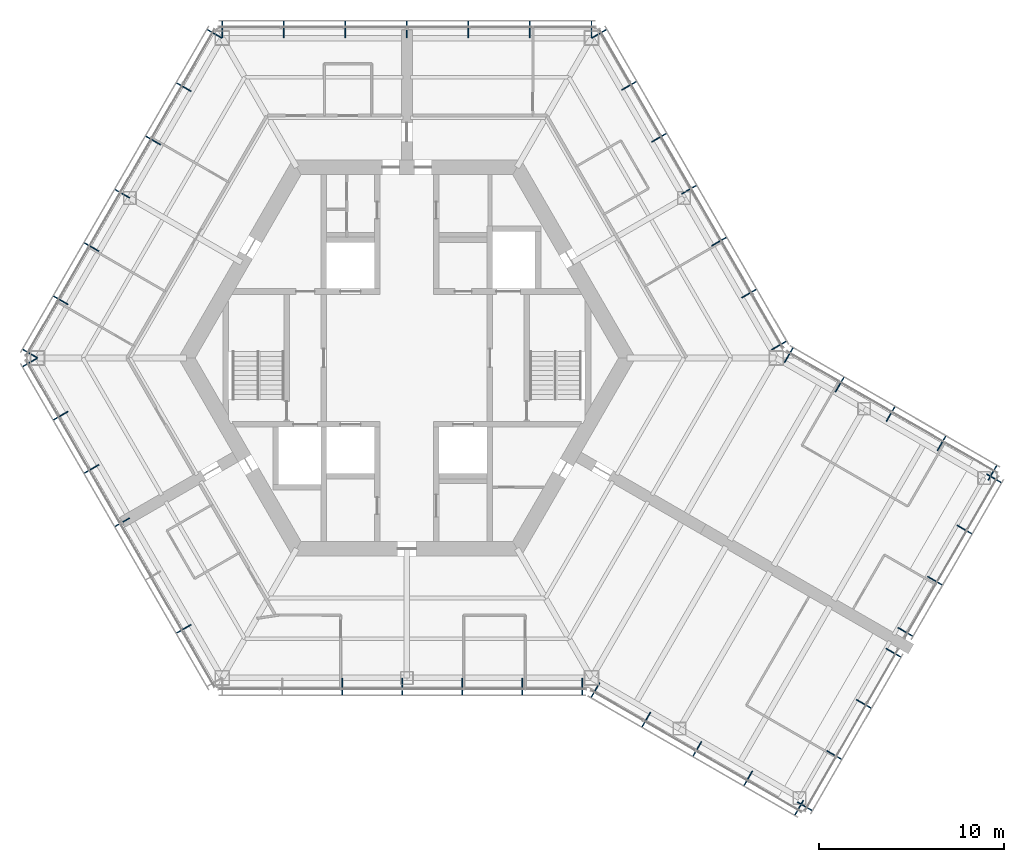
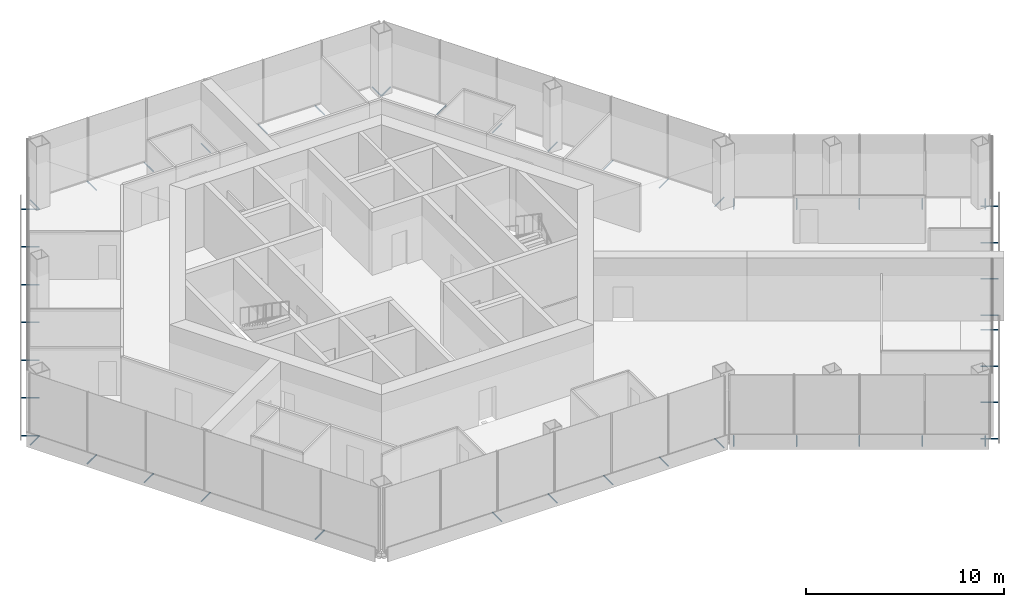
# One storey, part 14 of 16: 49 discrete accessories.
"""IFC4 building model written with IfcOpenShell, lengths in metres."""

import ifcopenshell
import ifcopenshell.guid

model = None  # the IFC model being written
_history = None  # IfcOwnerHistory: only IFC2X3 demands one
_inside = {}  # id of a spatial element -> (the spatial element, [elements in it])
_under = {}  # id of a project, library or spatial element -> (it, [spatial elements below it])
_declared = {}  # id of a project -> (the project, [libraries it declares])
_typed = {}  # id of a type object -> (the type object, [elements of that type])
_made_of = {}  # id of a material, layer set ... -> (it, [elements and type objects made of it])


def new_model(schema):
    """Start an empty IFC model of exactly this schema.

    Asked for "IFC4X3", IfcOpenShell would pick the latest addendum, in which some entities
    have other attributes; the version numbers below select the first issue.
    IFC2X3 requires an IfcOwnerHistory on every rooted entity: one is made here for all.
    """
    global model, _history
    if schema == "IFC4X3":
        model = ifcopenshell.file(schema_version=(4, 3, 0, 0))
    else:
        model = ifcopenshell.file(schema=schema)
    _inside.clear()
    _under.clear()
    _declared.clear()
    _typed.clear()
    _made_of.clear()
    _history = None
    if model.schema == "IFC2X3":
        org = make("IfcOrganization", Name="unknown")
        user = make(
            "IfcPersonAndOrganization",
            ThePerson=make("IfcPerson", FamilyName="unknown"),
            TheOrganization=org,
        )
        app = make(
            "IfcApplication",
            ApplicationDeveloper=org,
            Version="unknown",
            ApplicationFullName="unknown",
            ApplicationIdentifier="unknown",
        )
        _history = make(
            "IfcOwnerHistory",
            OwningUser=user,
            OwningApplication=app,
            ChangeAction="ADDED",
            CreationDate=0,
        )
    return model


def make(cls, **values):
    """One entity of the class cls with the attributes given. An attribute that is None is left unset."""
    return model.create_entity(
        cls, **{name: value for name, value in values.items() if value is not None}
    )


def rooted(cls, **values):
    """An entity with a GlobalId (a new one), such as an element, a storey or a relation."""
    return make(cls, GlobalId=ifcopenshell.guid.new(), OwnerHistory=_history, **values)


def si_unit(unit_type, name, prefix=None):
    """IfcSIUnit, for example si_unit("LENGTHUNIT", "METRE", prefix="MILLI")."""
    return make("IfcSIUnit", UnitType=unit_type, Prefix=prefix, Name=name)


def assignment(units):
    """IfcUnitAssignment: the units of a project."""
    return None if units is None else make("IfcUnitAssignment", Units=units)


def point(xyz):
    """IfcCartesianPoint."""
    return None if xyz is None else make("IfcCartesianPoint", Coordinates=xyz)


def direction(xyz):
    """IfcDirection."""
    return None if xyz is None else make("IfcDirection", DirectionRatios=xyz)


def frame(location, z_axis=None, x_axis=None):
    """IfcAxis2Placement3D, a coordinate frame: its origin and axes. An axis left out is left unset."""
    return make(
        "IfcAxis2Placement3D",
        Location=point(location),
        Axis=direction(z_axis),
        RefDirection=direction(x_axis),
    )


def frame_2d(location, x_axis=None):
    """IfcAxis2Placement2D, a coordinate frame in the plane: its origin and x axis."""
    return make(
        "IfcAxis2Placement2D", Location=point(location), RefDirection=direction(x_axis)
    )


def origin():
    """The frame at (0, 0, 0) with its axes left unset."""
    return frame((0.0, 0.0, 0.0))


def origin_2d():
    """The frame at (0, 0) in the plane with its x axis left unset."""
    return frame_2d((0.0, 0.0))


def place(relative_to, where):
    """IfcLocalPlacement: puts the frame where relative to a parent placement (None: the world)."""
    return make(
        "IfcLocalPlacement", PlacementRelTo=relative_to, RelativePlacement=where
    )


def context(
    kind, dimensions, precision=None, world=None, true_north=None, identifier=None
):
    """IfcGeometricRepresentationContext, for example the 3D "Model" context."""
    return make(
        "IfcGeometricRepresentationContext",
        ContextIdentifier=identifier,
        ContextType=kind,
        CoordinateSpaceDimension=dimensions,
        Precision=precision,
        WorldCoordinateSystem=world,
        TrueNorth=true_north,
    )


def subcontext(parent, identifier, kind, view, scale=None):
    """IfcGeometricRepresentationSubContext, for example "Body" below "Model"."""
    return make(
        "IfcGeometricRepresentationSubContext",
        ContextIdentifier=identifier,
        ContextType=kind,
        ParentContext=parent,
        TargetScale=scale,
        TargetView=view,
    )


def project(units=None, contexts=None):
    """IfcProject with its units and contexts."""
    return rooted(
        "IfcProject",
        Name="project",
        RepresentationContexts=contexts,
        UnitsInContext=assignment(units),
    )


def spatial(cls, under=None, at=None, **own):
    """A site, building, storey or space (cls), placed at a placement, below another one or the project."""
    s = rooted(cls, ObjectPlacement=at, **own)
    if under is not None:
        _under.setdefault(under.id(), (under, []))[1].append(s)
    return s


def profile(cls, at=None, kind="AREA", **sizes):
    """A parametric profile (cls). Its sizes go by their IFC names, for example OverallWidth=200.0."""
    return make(cls, ProfileType=kind, Position=at, **sizes)


def hollow_circle(**sizes):
    """IfcCircleHollowProfileDef."""
    return profile("IfcCircleHollowProfileDef", **sizes)


def extrude(swept, where, along, depth):
    """IfcExtrudedAreaSolid: the profile swept, set in the frame where, extruded along a direction by depth."""
    return make(
        "IfcExtrudedAreaSolid",
        SweptArea=swept,
        Position=where,
        ExtrudedDirection=direction(along),
        Depth=depth,
    )


def shape(context_of_items, identifier, shape_type, items):
    """IfcShapeRepresentation: the items that make up one representation, for example the "Body"."""
    return make(
        "IfcShapeRepresentation",
        ContextOfItems=context_of_items,
        RepresentationIdentifier=identifier,
        RepresentationType=shape_type,
        Items=items,
    )


def material(Name=None, Category=None):
    """IfcMaterial."""
    return make("IfcMaterial", Name=Name, Category=Category)


def material_profile(
    of_material, cross_section, Name=None, Category=None, Priority=None
):
    """IfcMaterialProfile: a cross section and its material."""
    return make(
        "IfcMaterialProfile",
        Name=Name,
        Material=of_material,
        Profile=cross_section,
        Priority=Priority,
        Category=Category,
    )


def profile_set(profiles, Name=None, composite=None):
    """IfcMaterialProfileSet."""
    return make(
        "IfcMaterialProfileSet",
        Name=Name,
        MaterialProfiles=profiles,
        CompositeProfile=composite,
    )


def made_of(thing, what):
    """Note that an element or type object is made of a material, layer set ...; save() writes the relation."""
    if what is not None:
        _made_of.setdefault(what.id(), (what, []))[1].append(thing)
    return thing


def type_object(cls, material=None, **own):
    """A type object (cls), such as IfcWallType, which elements share."""
    return made_of(rooted(cls, **own), material)


def element(
    cls,
    number,
    at=None,
    inside=None,
    cuts=None,
    type_object=None,
    material=None,
    context=None,
    identifier="Body",
    shape_type=None,
    held_by="IfcProductDefinitionShape",
    body=None,
    shapes=None,
    **own,
):
    """One element of the class cls, such as IfcWall. Its Tag is "e" and its number.

    at: its placement. inside: the storey or other place that contains it. cuts: it is an
    opening in that element (IfcRelVoidsElement). A single representation is given by context,
    identifier, shape_type and body (its items); several are given by shapes. held_by: the class
    of the entity that holds the representations. save() writes the other relations.
    """
    e = rooted(cls, Tag="e%d" % number, ObjectPlacement=at, **own)
    if body is not None:
        shapes = [shape(context, identifier, shape_type, body)]
    if shapes is not None:
        e.Representation = make(held_by, Representations=shapes)
    if inside is not None:
        _inside.setdefault(inside.id(), (inside, []))[1].append(e)
    if cuts is not None:
        rooted(
            "IfcRelVoidsElement", RelatingBuildingElement=cuts, RelatedOpeningElement=e
        )
    if type_object is not None:
        _typed.setdefault(type_object.id(), (type_object, []))[1].append(e)
    return made_of(e, material)


def aggregate(whole, parts):
    """IfcRelAggregates: a whole, such as a stair, and the parts it consists of."""
    return rooted("IfcRelAggregates", RelatingObject=whole, RelatedObjects=parts)


def save(model, path):
    """Write the relations noted so far, then the file.

    IfcRelAggregates (storeys below a building ...), IfcRelContainedInSpatialStructure (elements
    in a storey), IfcRelDefinesByType, IfcRelAssociatesMaterial and IfcRelDeclares: one each for
    every whole, place, type object, material and project.
    """
    for whole, parts in _under.values():
        aggregate(whole, parts)
    for where, things in _inside.values():
        rooted(
            "IfcRelContainedInSpatialStructure",
            RelatedElements=things,
            RelatingStructure=where,
        )
    for kind, things in _typed.values():
        rooted("IfcRelDefinesByType", RelatedObjects=things, RelatingType=kind)
    for what, things in _made_of.values():
        rooted("IfcRelAssociatesMaterial", RelatedObjects=things, RelatingMaterial=what)
    for by, libraries in _declared.values():
        rooted("IfcRelDeclares", RelatingContext=by, RelatedDefinitions=libraries)
    model.write(path)


model = new_model("IFC4")

# Units and contexts
model_context = context("Model", 3, precision=1e-05, world=origin(), true_north=direction((0.0, 1.0)))
body_context = subcontext(model_context, "Body", "Model", "MODEL_VIEW")
ifc_project = project(units=[si_unit("LENGTHUNIT", "METRE"), si_unit("AREAUNIT", "SQUARE_METRE"), si_unit("VOLUMEUNIT", "CUBIC_METRE"), si_unit("PLANEANGLEUNIT", "RADIAN"), si_unit("MASSUNIT", "GRAM", prefix="KILO")], contexts=[model_context])

# Site, building, storey
site_placement = place(None, origin())
site = spatial("IfcSite", under=ifc_project, at=site_placement, CompositionType="ELEMENT")
building_placement = place(site_placement, origin())
building = spatial("IfcBuilding", under=site, at=building_placement, Name="Kasaneha Research Tower", CompositionType="ELEMENT")
storey_placement = place(building_placement, frame((0.0, 0.0, 263.5)))
storey = spatial("IfcBuildingStorey", under=building, at=storey_placement, Name="L66", CompositionType="ELEMENT", Elevation=263.5)

# Discrete accessories
ifc_material = material(Name="Steel STK400", Category="steel")
ifc_material_profile = material_profile(ifc_material, hollow_circle(Radius=0.0380859375, WallThickness=0.00390625, at=origin_2d()), Name="CHS-76.3x4.0")
ifc_profile_set = profile_set([ifc_material_profile], Name="Steel STK400")
discrete_accessory_type = type_object("IfcDiscreteAccessoryType", Name="Screen bracket CHS-76.3x4.0", PredefinedType="BRACKET", material=ifc_profile_set)
for number, where, z_axis, x_axis, name in (
    (1, (19.74462890625, 0.4423828125, -0.300048828125), (0.866013213425, 0.500021113727, 0.0), (-0.500021113727, 0.866013213425, 0.0), "Screen bracket 1"),
    (2, (18.120849609375, 3.2548828125, -0.300048828125), (0.866013213425, 0.500021113727, 0.0), (-0.500021113727, 0.866013213425, 0.0), "Screen bracket 2"),
    (3, (16.4970703125, 6.0673828125, -0.300048828125), (0.866013213425, 0.500021113727, 0.0), (-0.500021113727, 0.866013213425, 0.0), "Screen bracket 3"),
    (4, (14.873291015625, 8.8798828125, -0.300048828125), (0.866013213425, 0.500021113727, 0.0), (-0.500021113727, 0.866013213425, 0.0), "Screen bracket 4"),
    (5, (13.24951171875, 11.6923828125, -0.300048828125), (0.866013213425, 0.500021113727, 0.0), (-0.500021113727, 0.866013213425, 0.0), "Screen bracket 5"),
):
    element("IfcDiscreteAccessory", number, at=place(storey_placement, frame(where, z_axis=z_axis, x_axis=x_axis)), inside=storey, type_object=discrete_accessory_type, Name=name, PredefinedType="BRACKET", context=body_context, shape_type="SweptSolid", body=[
        extrude(hollow_circle(Radius=0.0380859375, WallThickness=0.00390625, at=origin_2d()), origin(), (0.0, 0.0, 1.0), 0.919921875),
    ])
for number, where, z_axis, x_axis, name in (
    (6, (11.62548828125, 14.5048828125, -0.300048828125), (0.866079547155, 0.499906209203, 0.0), (-0.499906209203, 0.866079547155, 0.0), "Screen bracket 6"),
    (7, (10.001708984375, 17.3173828125, -0.300048828125), (0.866079547155, 0.499906209203, 0.0), (-0.499906209203, 0.866079547155, 0.0), "Screen bracket 7"),
):
    element("IfcDiscreteAccessory", number, at=place(storey_placement, frame(where, z_axis=z_axis, x_axis=x_axis)), inside=storey, type_object=discrete_accessory_type, Name=name, PredefinedType="BRACKET", context=body_context, shape_type="SweptSolid", body=[
        extrude(hollow_circle(Radius=0.0380859375, WallThickness=0.00390625, at=origin_2d()), origin(), (0.0, 0.0, 1.0), 0.920166015625),
    ])
for number, where, z_axis, x_axis, name in (
    (8, (9.996337890625, 17.320556640625, -0.300048828125), (0.0, 1.0, 0.0), (-1.0, 0.0, 0.0), "Screen bracket 1"),
    (9, (6.664306640625, 17.320556640625, -0.300048828125), (0.0, 1.0, 0.0), (-1.0, 0.0, 0.0), "Screen bracket 2"),
    (10, (3.33203125, 17.320556640625, -0.300048828125), (0.0, 1.0, 0.0), (-1.0, 0.0, 0.0), "Screen bracket 3"),
    (11, (0.0, 17.320556640625, -0.300048828125), (0.0, 1.0, 0.0), (-1.0, 0.0, 0.0), "Screen bracket 4"),
    (12, (-3.33203125, 17.320556640625, -0.300048828125), (0.0, 1.0, 0.0), (-1.0, 0.0, 0.0), "Screen bracket 5"),
    (13, (-6.664306640625, 17.320556640625, -0.300048828125), (0.0, 1.0, 0.0), (-1.0, 0.0, 0.0), "Screen bracket 6"),
    (14, (-9.996337890625, 17.320556640625, -0.300048828125), (0.0, 1.0, 0.0), (-1.0, 0.0, 0.0), "Screen bracket 7"),
):
    element("IfcDiscreteAccessory", number, at=place(storey_placement, frame(where, z_axis=z_axis, x_axis=x_axis)), inside=storey, type_object=discrete_accessory_type, Name=name, PredefinedType="BRACKET", context=body_context, shape_type="SweptSolid", body=[
        extrude(hollow_circle(Radius=0.0380859375, WallThickness=0.00390625, at=origin_2d()), origin(), (0.0, 0.0, 1.0), 0.919921875),
    ])
discrete_accessory_1_placement = place(storey_placement, frame((-10.001708984375, 17.3173828125, -0.300048828125), z_axis=(-0.866079547155, 0.499906209203, 0.0), x_axis=(-0.499906209203, -0.866079547155, 0.0)))
element("IfcDiscreteAccessory", 15, at=discrete_accessory_1_placement, inside=storey, type_object=discrete_accessory_type, Name="Screen bracket 1", PredefinedType="BRACKET", context=body_context, shape_type="SweptSolid", body=[
    extrude(hollow_circle(Radius=0.0380859375, WallThickness=0.00390625, at=origin_2d()), origin(), (0.0, 0.0, 1.0), 0.920166015625),
])
for number, where, z_axis, x_axis, name in (
    (16, (-11.66796875, 14.431640625, -0.300048828125), (-0.866013213425, 0.500021113727, 0.0), (-0.500021113727, -0.866013213425, 0.0), "Screen bracket 2"),
    (17, (-13.333984375, 11.5458984375, -0.300048828125), (-0.866013213425, 0.500021113727, 0.0), (-0.500021113727, -0.866013213425, 0.0), "Screen bracket 3"),
    (18, (-15.0, 8.66015625, -0.300048828125), (-0.865898279276, 0.500220121494, 0.0), (-0.500220121494, -0.865898279276, 0.0), "Screen bracket 4"),
):
    element("IfcDiscreteAccessory", number, at=place(storey_placement, frame(where, z_axis=z_axis, x_axis=x_axis)), inside=storey, type_object=discrete_accessory_type, Name=name, PredefinedType="BRACKET", context=body_context, shape_type="SweptSolid", body=[
        extrude(hollow_circle(Radius=0.0380859375, WallThickness=0.00390625, at=origin_2d()), origin(), (0.0, 0.0, 1.0), 0.919921875),
    ])
for number, where, z_axis, x_axis, name in (
    (19, (-16.666015625, 5.774658203125, -0.300048828125), (-0.866079547155, 0.499906209203, 0.0), (-0.499906209203, -0.866079547155, 0.0), "Screen bracket 5"),
    (20, (-18.33203125, 2.888916015625, -0.300048828125), (-0.866079547155, 0.499906209203, 0.0), (-0.499906209203, -0.866079547155, 0.0), "Screen bracket 6"),
):
    element("IfcDiscreteAccessory", number, at=place(storey_placement, frame(where, z_axis=z_axis, x_axis=x_axis)), inside=storey, type_object=discrete_accessory_type, Name=name, PredefinedType="BRACKET", context=body_context, shape_type="SweptSolid", body=[
        extrude(hollow_circle(Radius=0.0380859375, WallThickness=0.00390625, at=origin_2d()), origin(), (0.0, 0.0, 1.0), 0.920166015625),
    ])
for number, where, z_axis, x_axis, name in (
    (21, (-19.998291015625, 0.003173828125, -0.300048828125), (-0.866013213425, 0.500021113727, 0.0), (-0.500021113727, -0.866013213425, 0.0), "Screen bracket 7"),
    (22, (-19.998291015625, -0.003173828125, -0.300048828125), (-0.866013213425, -0.500021113727, 0.0), (0.500021113727, -0.866013213425, 0.0), "Screen bracket 1"),
):
    element("IfcDiscreteAccessory", number, at=place(storey_placement, frame(where, z_axis=z_axis, x_axis=x_axis)), inside=storey, type_object=discrete_accessory_type, Name=name, PredefinedType="BRACKET", context=body_context, shape_type="SweptSolid", body=[
        extrude(hollow_circle(Radius=0.0380859375, WallThickness=0.00390625, at=origin_2d()), origin(), (0.0, 0.0, 1.0), 0.919921875),
    ])
for number, where, z_axis, x_axis, name in (
    (23, (-18.33203125, -2.888916015625, -0.300048828125), (-0.866079547155, -0.499906209203, 0.0), (0.499906209203, -0.866079547155, 0.0), "Screen bracket 2"),
    (24, (-16.666015625, -5.774658203125, -0.300048828125), (-0.866079547155, -0.499906209203, 0.0), (0.499906209203, -0.866079547155, 0.0), "Screen bracket 3"),
):
    element("IfcDiscreteAccessory", number, at=place(storey_placement, frame(where, z_axis=z_axis, x_axis=x_axis)), inside=storey, type_object=discrete_accessory_type, Name=name, PredefinedType="BRACKET", context=body_context, shape_type="SweptSolid", body=[
        extrude(hollow_circle(Radius=0.0380859375, WallThickness=0.00390625, at=origin_2d()), origin(), (0.0, 0.0, 1.0), 0.920166015625),
    ])
for number, where, z_axis, x_axis, name in (
    (25, (-15.0, -8.66015625, -0.300048828125), (-0.865898279276, -0.500220121494, 0.0), (0.500220121494, -0.865898279276, 0.0), "Screen bracket 4"),
    (26, (-11.66796875, -14.431640625, -0.300048828125), (-0.866013213425, -0.500021113727, 0.0), (0.500021113727, -0.866013213425, 0.0), "Screen bracket 6"),
    (27, (-3.501220703125, -17.320556640625, -0.300048828125), (0.0, -1.0, 0.0), (1.0, 0.0, 0.0), "Screen bracket 3"),
    (28, (-0.253662109375, -17.320556640625, -0.300048828125), (0.0, -1.0, 0.0), (1.0, 0.0, 0.0), "Screen bracket 4"),
    (29, (2.993896484375, -17.320556640625, -0.300048828125), (0.0, -1.0, 0.0), (1.0, 0.0, 0.0), "Screen bracket 5"),
    (30, (6.24169921875, -17.320556640625, -0.300048828125), (0.0, -1.0, 0.0), (1.0, 0.0, 0.0), "Screen bracket 6"),
    (31, (9.4892578125, -17.320556640625, -0.300048828125), (0.0, -1.0, 0.0), (1.0, 0.0, 0.0), "Screen bracket 7"),
    (32, (10.4423828125, -17.575927734375, -0.300048828125), (-0.500021113727, -0.866013213425, 0.0), (0.866013213425, -0.500021113727, 0.0), "Screen bracket 1"),
):
    element("IfcDiscreteAccessory", number, at=place(storey_placement, frame(where, z_axis=z_axis, x_axis=x_axis)), inside=storey, type_object=discrete_accessory_type, Name=name, PredefinedType="BRACKET", context=body_context, shape_type="SweptSolid", body=[
        extrude(hollow_circle(Radius=0.0380859375, WallThickness=0.00390625, at=origin_2d()), origin(), (0.0, 0.0, 1.0), 0.919921875),
    ])
discrete_accessory_2_placement = place(storey_placement, frame((13.200439453125, -19.168212890625, -0.300048828125), z_axis=(-0.499906209203, -0.866079547155, 0.0), x_axis=(0.866079547155, -0.499906209203, 0.0)))
element("IfcDiscreteAccessory", 33, at=discrete_accessory_2_placement, inside=storey, type_object=discrete_accessory_type, Name="Screen bracket 2", PredefinedType="BRACKET", context=body_context, shape_type="SweptSolid", body=[
    extrude(hollow_circle(Radius=0.0380859375, WallThickness=0.00390625, at=origin_2d()), origin(), (0.0, 0.0, 1.0), 0.920166015625),
])
discrete_accessory_3_placement = place(storey_placement, frame((15.95849609375, -20.7607421875, -0.300048828125), z_axis=(-0.500021113727, -0.866013213425, 0.0), x_axis=(0.866013213425, -0.500021113727, 0.0)))
element("IfcDiscreteAccessory", 34, at=discrete_accessory_3_placement, inside=storey, type_object=discrete_accessory_type, Name="Screen bracket 3", PredefinedType="BRACKET", context=body_context, shape_type="SweptSolid", body=[
    extrude(hollow_circle(Radius=0.0380859375, WallThickness=0.00390625, at=origin_2d()), origin(), (0.0, 0.0, 1.0), 0.919921875),
])
discrete_accessory_4_placement = place(storey_placement, frame((18.716796875, -22.35302734375, -0.300048828125), z_axis=(-0.500105201737, -0.865964657013, 0.0), x_axis=(0.865964657013, -0.500105201737, 0.0)))
element("IfcDiscreteAccessory", 35, at=discrete_accessory_4_placement, inside=storey, type_object=discrete_accessory_type, Name="Screen bracket 4", PredefinedType="BRACKET", context=body_context, shape_type="SweptSolid", body=[
    extrude(hollow_circle(Radius=0.0380859375, WallThickness=0.00390625, at=origin_2d()), origin(), (0.0, 0.0, 1.0), 0.920166015625),
])
discrete_accessory_5_placement = place(storey_placement, frame((21.474853515625, -23.945556640625, -0.300048828125), z_axis=(-0.500021113727, -0.866013213425, 0.0), x_axis=(0.866013213425, -0.500021113727, 0.0)))
element("IfcDiscreteAccessory", 36, at=discrete_accessory_5_placement, inside=storey, type_object=discrete_accessory_type, Name="Screen bracket 5", PredefinedType="BRACKET", context=body_context, shape_type="SweptSolid", body=[
    extrude(hollow_circle(Radius=0.0380859375, WallThickness=0.00390625, at=origin_2d()), origin(), (0.0, 0.0, 1.0), 0.919921875),
])
discrete_accessory_6_placement = place(storey_placement, frame((21.13330078125, -24.037109375, -0.300048828125), z_axis=(0.866079547155, -0.499906209203, 0.0), x_axis=(0.499906209203, 0.866079547155, 0.0)))
element("IfcDiscreteAccessory", 37, at=discrete_accessory_6_placement, inside=storey, type_object=discrete_accessory_type, Name="Screen bracket 1", PredefinedType="BRACKET", context=body_context, shape_type="SweptSolid", body=[
    extrude(hollow_circle(Radius=0.0380859375, WallThickness=0.00390625, at=origin_2d()), origin(), (0.0, 0.0, 1.0), 0.920166015625),
])
discrete_accessory_7_placement = place(storey_placement, frame((22.7333984375, -21.265625, -0.300048828125), z_axis=(0.865898279276, -0.500220121494, 0.0), x_axis=(0.500220121494, 0.865898279276, 0.0)))
element("IfcDiscreteAccessory", 38, at=discrete_accessory_7_placement, inside=storey, type_object=discrete_accessory_type, Name="Screen bracket 2", PredefinedType="BRACKET", context=body_context, shape_type="SweptSolid", body=[
    extrude(hollow_circle(Radius=0.0380859375, WallThickness=0.00390625, at=origin_2d()), origin(), (0.0, 0.0, 1.0), 0.919921875),
])
discrete_accessory_8_placement = place(storey_placement, frame((24.333251953125, -18.494384765625, -0.300048828125), z_axis=(0.866079547155, -0.499906209203, 0.0), x_axis=(0.499906209203, 0.866079547155, 0.0)))
element("IfcDiscreteAccessory", 39, at=discrete_accessory_8_placement, inside=storey, type_object=discrete_accessory_type, Name="Screen bracket 3", PredefinedType="BRACKET", context=body_context, shape_type="SweptSolid", body=[
    extrude(hollow_circle(Radius=0.0380859375, WallThickness=0.00390625, at=origin_2d()), origin(), (0.0, 0.0, 1.0), 0.920166015625),
])
discrete_accessory_9_placement = place(storey_placement, frame((25.933349609375, -15.72314453125, -0.300048828125), z_axis=(0.866013213425, -0.500021113727, 0.0), x_axis=(0.500021113727, 0.866013213425, 0.0)))
element("IfcDiscreteAccessory", 40, at=discrete_accessory_9_placement, inside=storey, type_object=discrete_accessory_type, Name="Screen bracket 4", PredefinedType="BRACKET", context=body_context, shape_type="SweptSolid", body=[
    extrude(hollow_circle(Radius=0.0380859375, WallThickness=0.00390625, at=origin_2d()), origin(), (0.0, 0.0, 1.0), 0.919921875),
])
discrete_accessory_10_placement = place(storey_placement, frame((26.583251953125, -14.597412109375, -0.300048828125), z_axis=(0.866079547155, -0.499906209203, 0.0), x_axis=(0.499906209203, 0.866079547155, 0.0)))
element("IfcDiscreteAccessory", 41, at=discrete_accessory_10_placement, inside=storey, type_object=discrete_accessory_type, Name="Screen bracket 1", PredefinedType="BRACKET", context=body_context, shape_type="SweptSolid", body=[
    extrude(hollow_circle(Radius=0.0380859375, WallThickness=0.00390625, at=origin_2d()), origin(), (0.0, 0.0, 1.0), 0.920166015625),
])
for number, where, z_axis, x_axis, name in (
    (42, (28.183349609375, -11.826171875, -0.300048828125), (0.866013213425, -0.500021113727, 0.0), (0.500021113727, 0.866013213425, 0.0), "Screen bracket 2"),
    (43, (29.783447265625, -9.0546875, -0.300048828125), (0.865898279276, -0.500220121494, 0.0), (0.500220121494, 0.865898279276, 0.0), "Screen bracket 3"),
):
    element("IfcDiscreteAccessory", number, at=place(storey_placement, frame(where, z_axis=z_axis, x_axis=x_axis)), inside=storey, type_object=discrete_accessory_type, Name=name, PredefinedType="BRACKET", context=body_context, shape_type="SweptSolid", body=[
        extrude(hollow_circle(Radius=0.0380859375, WallThickness=0.00390625, at=origin_2d()), origin(), (0.0, 0.0, 1.0), 0.919921875),
    ])
discrete_accessory_11_placement = place(storey_placement, frame((31.38330078125, -6.283447265625, -0.300048828125), z_axis=(0.866079547155, -0.499906209203, 0.0), x_axis=(0.499906209203, 0.866079547155, 0.0)))
element("IfcDiscreteAccessory", 44, at=discrete_accessory_11_placement, inside=storey, type_object=discrete_accessory_type, Name="Screen bracket 4", PredefinedType="BRACKET", context=body_context, shape_type="SweptSolid", body=[
    extrude(hollow_circle(Radius=0.0380859375, WallThickness=0.00390625, at=origin_2d()), origin(), (0.0, 0.0, 1.0), 0.920166015625),
])
discrete_accessory_12_placement = place(storey_placement, frame((31.474853515625, -6.625, -0.300048828125), z_axis=(0.500021113727, 0.866013213425, 0.0), x_axis=(-0.866013213425, 0.500021113727, 0.0)))
element("IfcDiscreteAccessory", 45, at=discrete_accessory_12_placement, inside=storey, type_object=discrete_accessory_type, Name="Screen bracket 1", PredefinedType="BRACKET", context=body_context, shape_type="SweptSolid", body=[
    extrude(hollow_circle(Radius=0.0380859375, WallThickness=0.00390625, at=origin_2d()), origin(), (0.0, 0.0, 1.0), 0.919921875),
])
discrete_accessory_13_placement = place(storey_placement, frame((28.716796875, -5.03271484375, -0.300048828125), z_axis=(0.499906209203, 0.866079547155, 0.0), x_axis=(-0.866079547155, 0.499906209203, 0.0)))
element("IfcDiscreteAccessory", 46, at=discrete_accessory_13_placement, inside=storey, type_object=discrete_accessory_type, Name="Screen bracket 2", PredefinedType="BRACKET", context=body_context, shape_type="SweptSolid", body=[
    extrude(hollow_circle(Radius=0.0380859375, WallThickness=0.00390625, at=origin_2d()), origin(), (0.0, 0.0, 1.0), 0.920166015625),
])
discrete_accessory_14_placement = place(storey_placement, frame((25.95849609375, -3.440185546875, -0.300048828125), z_axis=(0.500220121494, 0.865898279276, 0.0), x_axis=(-0.865898279276, 0.500220121494, 0.0)))
element("IfcDiscreteAccessory", 47, at=discrete_accessory_14_placement, inside=storey, type_object=discrete_accessory_type, Name="Screen bracket 3", PredefinedType="BRACKET", context=body_context, shape_type="SweptSolid", body=[
    extrude(hollow_circle(Radius=0.0380859375, WallThickness=0.00390625, at=origin_2d()), origin(), (0.0, 0.0, 1.0), 0.919921875),
])
discrete_accessory_15_placement = place(storey_placement, frame((23.200439453125, -1.847900390625, -0.300048828125), z_axis=(0.499906209203, 0.866079547155, 0.0), x_axis=(-0.866079547155, 0.499906209203, 0.0)))
element("IfcDiscreteAccessory", 48, at=discrete_accessory_15_placement, inside=storey, type_object=discrete_accessory_type, Name="Screen bracket 4", PredefinedType="BRACKET", context=body_context, shape_type="SweptSolid", body=[
    extrude(hollow_circle(Radius=0.0380859375, WallThickness=0.00390625, at=origin_2d()), origin(), (0.0, 0.0, 1.0), 0.920166015625),
])
discrete_accessory_16_placement = place(storey_placement, frame((20.4423828125, -0.25537109375, -0.300048828125), z_axis=(0.500021113727, 0.866013213425, 0.0), x_axis=(-0.866013213425, 0.500021113727, 0.0)))
element("IfcDiscreteAccessory", 49, at=discrete_accessory_16_placement, inside=storey, type_object=discrete_accessory_type, Name="Screen bracket 5", PredefinedType="BRACKET", context=body_context, shape_type="SweptSolid", body=[
    extrude(hollow_circle(Radius=0.0380859375, WallThickness=0.00390625, at=origin_2d()), origin(), (0.0, 0.0, 1.0), 0.919921875),
])

save(model, "model.ifc")
